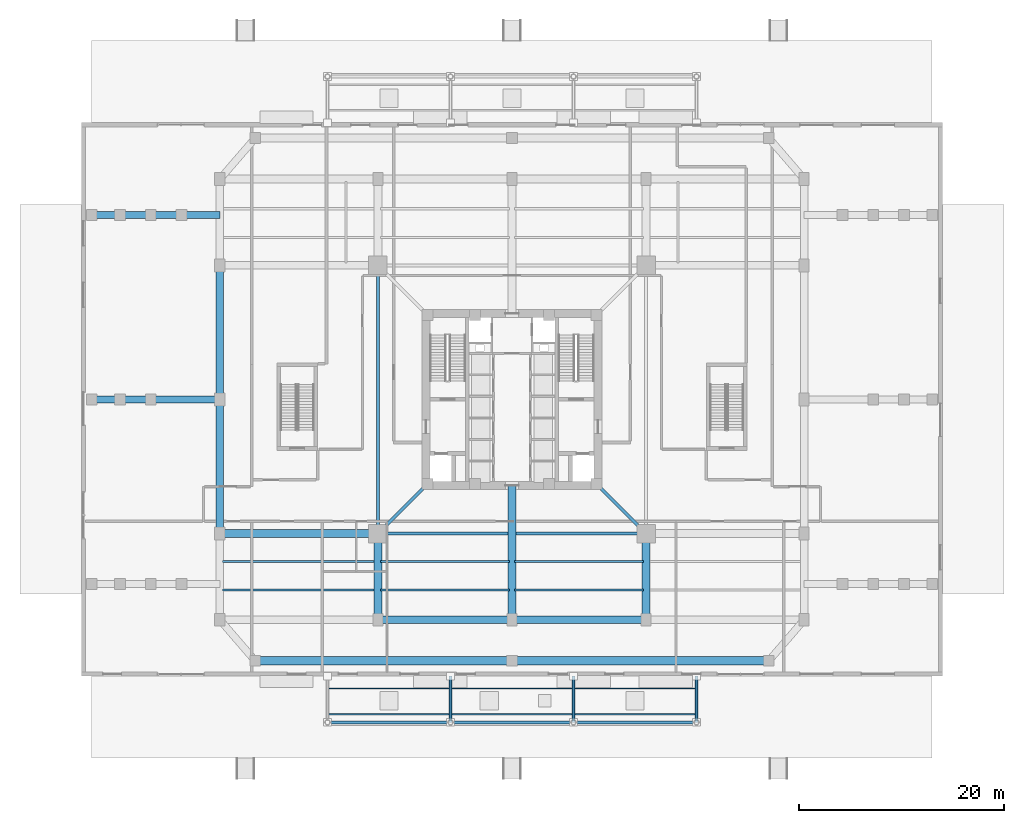
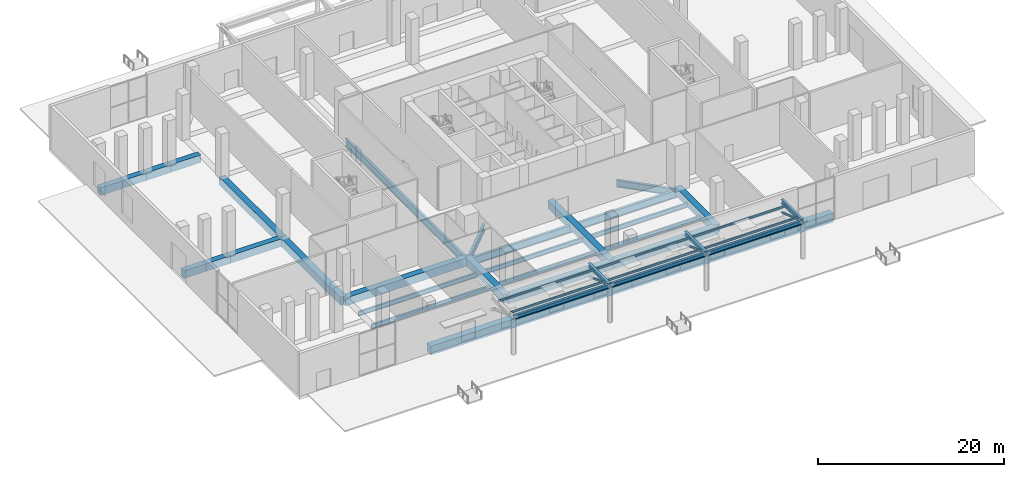
# One storey, part 7 of 25: 33 beams, 9 members.
"""IFC4 building model written with IfcOpenShell, lengths in metres."""

import ifcopenshell
import ifcopenshell.guid

model = None  # the IFC model being written
_history = None  # IfcOwnerHistory: only IFC2X3 demands one
_inside = {}  # id of a spatial element -> (the spatial element, [elements in it])
_under = {}  # id of a project, library or spatial element -> (it, [spatial elements below it])
_declared = {}  # id of a project -> (the project, [libraries it declares])
_typed = {}  # id of a type object -> (the type object, [elements of that type])
_made_of = {}  # id of a material, layer set ... -> (it, [elements and type objects made of it])


def new_model(schema):
    """Start an empty IFC model of exactly this schema.

    Asked for "IFC4X3", IfcOpenShell would pick the latest addendum, in which some entities
    have other attributes; the version numbers below select the first issue.
    IFC2X3 requires an IfcOwnerHistory on every rooted entity: one is made here for all.
    """
    global model, _history
    if schema == "IFC4X3":
        model = ifcopenshell.file(schema_version=(4, 3, 0, 0))
    else:
        model = ifcopenshell.file(schema=schema)
    _inside.clear()
    _under.clear()
    _declared.clear()
    _typed.clear()
    _made_of.clear()
    _history = None
    if model.schema == "IFC2X3":
        org = make("IfcOrganization", Name="unknown")
        user = make(
            "IfcPersonAndOrganization",
            ThePerson=make("IfcPerson", FamilyName="unknown"),
            TheOrganization=org,
        )
        app = make(
            "IfcApplication",
            ApplicationDeveloper=org,
            Version="unknown",
            ApplicationFullName="unknown",
            ApplicationIdentifier="unknown",
        )
        _history = make(
            "IfcOwnerHistory",
            OwningUser=user,
            OwningApplication=app,
            ChangeAction="ADDED",
            CreationDate=0,
        )
    return model


def make(cls, **values):
    """One entity of the class cls with the attributes given. An attribute that is None is left unset."""
    return model.create_entity(
        cls, **{name: value for name, value in values.items() if value is not None}
    )


def rooted(cls, **values):
    """An entity with a GlobalId (a new one), such as an element, a storey or a relation."""
    return make(cls, GlobalId=ifcopenshell.guid.new(), OwnerHistory=_history, **values)


def si_unit(unit_type, name, prefix=None):
    """IfcSIUnit, for example si_unit("LENGTHUNIT", "METRE", prefix="MILLI")."""
    return make("IfcSIUnit", UnitType=unit_type, Prefix=prefix, Name=name)


def assignment(units):
    """IfcUnitAssignment: the units of a project."""
    return None if units is None else make("IfcUnitAssignment", Units=units)


def point(xyz):
    """IfcCartesianPoint."""
    return None if xyz is None else make("IfcCartesianPoint", Coordinates=xyz)


def direction(xyz):
    """IfcDirection."""
    return None if xyz is None else make("IfcDirection", DirectionRatios=xyz)


def frame(location, z_axis=None, x_axis=None):
    """IfcAxis2Placement3D, a coordinate frame: its origin and axes. An axis left out is left unset."""
    return make(
        "IfcAxis2Placement3D",
        Location=point(location),
        Axis=direction(z_axis),
        RefDirection=direction(x_axis),
    )


def frame_2d(location, x_axis=None):
    """IfcAxis2Placement2D, a coordinate frame in the plane: its origin and x axis."""
    return make(
        "IfcAxis2Placement2D", Location=point(location), RefDirection=direction(x_axis)
    )


def origin():
    """The frame at (0, 0, 0) with its axes left unset."""
    return frame((0.0, 0.0, 0.0))


def origin_2d():
    """The frame at (0, 0) in the plane with its x axis left unset."""
    return frame_2d((0.0, 0.0))


def place(relative_to, where):
    """IfcLocalPlacement: puts the frame where relative to a parent placement (None: the world)."""
    return make(
        "IfcLocalPlacement", PlacementRelTo=relative_to, RelativePlacement=where
    )


def context(
    kind, dimensions, precision=None, world=None, true_north=None, identifier=None
):
    """IfcGeometricRepresentationContext, for example the 3D "Model" context."""
    return make(
        "IfcGeometricRepresentationContext",
        ContextIdentifier=identifier,
        ContextType=kind,
        CoordinateSpaceDimension=dimensions,
        Precision=precision,
        WorldCoordinateSystem=world,
        TrueNorth=true_north,
    )


def subcontext(parent, identifier, kind, view, scale=None):
    """IfcGeometricRepresentationSubContext, for example "Body" below "Model"."""
    return make(
        "IfcGeometricRepresentationSubContext",
        ContextIdentifier=identifier,
        ContextType=kind,
        ParentContext=parent,
        TargetScale=scale,
        TargetView=view,
    )


def project(units=None, contexts=None):
    """IfcProject with its units and contexts."""
    return rooted(
        "IfcProject",
        Name="project",
        RepresentationContexts=contexts,
        UnitsInContext=assignment(units),
    )


def spatial(cls, under=None, at=None, **own):
    """A site, building, storey or space (cls), placed at a placement, below another one or the project."""
    s = rooted(cls, ObjectPlacement=at, **own)
    if under is not None:
        _under.setdefault(under.id(), (under, []))[1].append(s)
    return s


def profile(cls, at=None, kind="AREA", **sizes):
    """A parametric profile (cls). Its sizes go by their IFC names, for example OverallWidth=200.0."""
    return make(cls, ProfileType=kind, Position=at, **sizes)


def rectangle(**sizes):
    """IfcRectangleProfileDef."""
    return profile("IfcRectangleProfileDef", **sizes)


def hollow_circle(**sizes):
    """IfcCircleHollowProfileDef."""
    return profile("IfcCircleHollowProfileDef", **sizes)


def i_section(**sizes):
    """IfcIShapeProfileDef."""
    return profile("IfcIShapeProfileDef", **sizes)


def extrude(swept, where, along, depth):
    """IfcExtrudedAreaSolid: the profile swept, set in the frame where, extruded along a direction by depth."""
    return make(
        "IfcExtrudedAreaSolid",
        SweptArea=swept,
        Position=where,
        ExtrudedDirection=direction(along),
        Depth=depth,
    )


def shape(context_of_items, identifier, shape_type, items):
    """IfcShapeRepresentation: the items that make up one representation, for example the "Body"."""
    return make(
        "IfcShapeRepresentation",
        ContextOfItems=context_of_items,
        RepresentationIdentifier=identifier,
        RepresentationType=shape_type,
        Items=items,
    )


def source(mapping_origin, context_of_items, identifier, shape_type, items):
    """IfcRepresentationMap: a shape defined once, which mapped items show again and again."""
    return make(
        "IfcRepresentationMap",
        MappingOrigin=mapping_origin,
        MappedRepresentation=shape(context_of_items, identifier, shape_type, items),
    )


def transform(
    local_origin,
    x_axis=None,
    y_axis=None,
    z_axis=None,
    scale=None,
    scale2=None,
    scale3=None,
    uniform=True,
):
    """IfcCartesianTransformationOperator3D, or its non-uniform kind. x_axis, y_axis, z_axis: its Axis1, 2, 3."""
    if uniform:
        return make(
            "IfcCartesianTransformationOperator3D",
            Axis1=direction(x_axis),
            Axis2=direction(y_axis),
            LocalOrigin=point(local_origin),
            Scale=scale,
            Axis3=direction(z_axis),
        )
    return make(
        "IfcCartesianTransformationOperator3DnonUniform",
        Axis1=direction(x_axis),
        Axis2=direction(y_axis),
        LocalOrigin=point(local_origin),
        Scale=scale,
        Axis3=direction(z_axis),
        Scale2=scale2,
        Scale3=scale3,
    )


def mapped(mapping_source, mapping_target):
    """IfcMappedItem: shows the shape of a source again, moved by a transform."""
    return make(
        "IfcMappedItem", MappingSource=mapping_source, MappingTarget=mapping_target
    )


def material(Name=None, Category=None):
    """IfcMaterial."""
    return make("IfcMaterial", Name=Name, Category=Category)


def material_profile(
    of_material, cross_section, Name=None, Category=None, Priority=None
):
    """IfcMaterialProfile: a cross section and its material."""
    return make(
        "IfcMaterialProfile",
        Name=Name,
        Material=of_material,
        Profile=cross_section,
        Priority=Priority,
        Category=Category,
    )


def profile_set(profiles, Name=None, composite=None):
    """IfcMaterialProfileSet."""
    return make(
        "IfcMaterialProfileSet",
        Name=Name,
        MaterialProfiles=profiles,
        CompositeProfile=composite,
    )


def made_of(thing, what):
    """Note that an element or type object is made of a material, layer set ...; save() writes the relation."""
    if what is not None:
        _made_of.setdefault(what.id(), (what, []))[1].append(thing)
    return thing


def type_object(cls, material=None, **own):
    """A type object (cls), such as IfcWallType, which elements share."""
    return made_of(rooted(cls, **own), material)


def element(
    cls,
    number,
    at=None,
    inside=None,
    cuts=None,
    type_object=None,
    material=None,
    context=None,
    identifier="Body",
    shape_type=None,
    held_by="IfcProductDefinitionShape",
    body=None,
    shapes=None,
    **own,
):
    """One element of the class cls, such as IfcWall. Its Tag is "e" and its number.

    at: its placement. inside: the storey or other place that contains it. cuts: it is an
    opening in that element (IfcRelVoidsElement). A single representation is given by context,
    identifier, shape_type and body (its items); several are given by shapes. held_by: the class
    of the entity that holds the representations. save() writes the other relations.
    """
    e = rooted(cls, Tag="e%d" % number, ObjectPlacement=at, **own)
    if body is not None:
        shapes = [shape(context, identifier, shape_type, body)]
    if shapes is not None:
        e.Representation = make(held_by, Representations=shapes)
    if inside is not None:
        _inside.setdefault(inside.id(), (inside, []))[1].append(e)
    if cuts is not None:
        rooted(
            "IfcRelVoidsElement", RelatingBuildingElement=cuts, RelatedOpeningElement=e
        )
    if type_object is not None:
        _typed.setdefault(type_object.id(), (type_object, []))[1].append(e)
    return made_of(e, material)


def aggregate(whole, parts):
    """IfcRelAggregates: a whole, such as a stair, and the parts it consists of."""
    return rooted("IfcRelAggregates", RelatingObject=whole, RelatedObjects=parts)


def save(model, path):
    """Write the relations noted so far, then the file.

    IfcRelAggregates (storeys below a building ...), IfcRelContainedInSpatialStructure (elements
    in a storey), IfcRelDefinesByType, IfcRelAssociatesMaterial and IfcRelDeclares: one each for
    every whole, place, type object, material and project.
    """
    for whole, parts in _under.values():
        aggregate(whole, parts)
    for where, things in _inside.values():
        rooted(
            "IfcRelContainedInSpatialStructure",
            RelatedElements=things,
            RelatingStructure=where,
        )
    for kind, things in _typed.values():
        rooted("IfcRelDefinesByType", RelatedObjects=things, RelatingType=kind)
    for what, things in _made_of.values():
        rooted("IfcRelAssociatesMaterial", RelatedObjects=things, RelatingMaterial=what)
    for by, libraries in _declared.values():
        rooted("IfcRelDeclares", RelatingContext=by, RelatedDefinitions=libraries)
    model.write(path)


model = new_model("IFC4")

# Units and contexts
model_context = context("Model", 3, precision=1e-05, world=origin(), true_north=direction((0.0, 1.0)))
body_context = subcontext(model_context, "Body", "Model", "MODEL_VIEW")
ifc_project = project(units=[si_unit("LENGTHUNIT", "METRE"), si_unit("AREAUNIT", "SQUARE_METRE"), si_unit("VOLUMEUNIT", "CUBIC_METRE"), si_unit("PLANEANGLEUNIT", "RADIAN"), si_unit("MASSUNIT", "GRAM", prefix="KILO"), si_unit("THERMODYNAMICTEMPERATUREUNIT", "KELVIN")], contexts=[model_context])

# Site, building, storey
site_placement = place(None, origin())
site = spatial("IfcSite", under=ifc_project, at=site_placement, CompositionType="ELEMENT")
building_placement = place(site_placement, origin())
building = spatial("IfcBuilding", under=site, at=building_placement, Name="Kosmvard Interchange Tower", CompositionType="ELEMENT")
storey_placement = place(building_placement, origin())
storey = spatial("IfcBuildingStorey", under=building, at=storey_placement, Name="L00", CompositionType="ELEMENT", Elevation=0.0)

# Beams
ifc_material_1 = material(Name="Steel S460", Category="steel")
ifc_material_profile_1 = material_profile(ifc_material_1, i_section(OverallWidth=0.30810546875, OverallDepth=0.909912109375, WebThickness=0.02099609375, FlangeThickness=0.0400390625, FilletRadius=0.027099609375, at=origin_2d()), Name="HEM 900")
ifc_profile_set_1 = profile_set([ifc_material_profile_1], Name="Steel S460")
beam_type_1 = type_object("IfcBeamType", Name="Primary Mega-Frame Girder HEM 900 S460", PredefinedType="BEAM", material=ifc_profile_set_1)
shared_shape_1 = source(origin(), body_context, "Body", "SweptSolid", [
    extrude(i_section(OverallWidth=0.30810546875, OverallDepth=0.909912109375, WebThickness=0.02099609375, FlangeThickness=0.0400390625, FilletRadius=0.027099609375, at=origin_2d()), origin(), (0.0, 0.0, 1.0), 6.83203125),
])
for number, where, z_axis, x_axis, name in (
    (1, (-8.25, -8.25, -0.85498046875), (-0.707106781187, -0.707106781187, 0.0), (0.707106781187, -0.707106781187, 0.0), "L00 Radial Mega-Frame Girder 1"),
    (2, (8.25, -8.25, -0.85498046875), (0.707106781187, -0.707106781187, 0.0), (0.707106781187, 0.707106781187, 0.0), "L00 Radial Mega-Frame Girder 2"),
):
    element("IfcBeam", number, at=place(storey_placement, frame(where, z_axis=z_axis, x_axis=x_axis)), inside=storey, type_object=beam_type_1, Name=name, PredefinedType="BEAM", context=body_context, shape_type="MappedRepresentation", body=[
        mapped(shared_shape_1, transform((0.0, 0.0, 0.0), scale=1.0)),
    ])
ifc_material_profile_2 = material_profile(ifc_material_1, i_section(OverallWidth=0.30908203125, OverallDepth=1.008056640625, WebThickness=0.02099609375, FlangeThickness=0.0400390625, FilletRadius=0.030029296875, at=origin_2d()), Name="HEM 1000")
ifc_profile_set_2 = profile_set([ifc_material_profile_2], Name="Steel S460")
beam_type_2 = type_object("IfcBeamType", Name="Mega-Column Ring Girder HEM 1000 S460", PredefinedType="BEAM", material=ifc_profile_set_2)
shared_shape_2 = source(origin(), body_context, "Body", "SweptSolid", [
    extrude(i_section(OverallWidth=0.30908203125, OverallDepth=1.008056640625, WebThickness=0.02099609375, FlangeThickness=0.0400390625, FilletRadius=0.030029296875, at=origin_2d()), origin(), (0.0, 0.0, 1.0), 26.162109375),
])
for number, where, z_axis, x_axis, name in (
    (3, (-13.0810546875, -13.0810546875, -0.904052734375), (1.0, 0.0, 0.0), (0.0, 1.0, 0.0), "L00 Mega-Column Ring Girder 1"),
    (4, (-13.0810546875, 13.0810546875, -0.904052734375), (0.0, -1.0, 0.0), (1.0, 0.0, 0.0), "L00 Mega-Column Ring Girder 4"),
):
    element("IfcBeam", number, at=place(storey_placement, frame(where, z_axis=z_axis, x_axis=x_axis)), inside=storey, type_object=beam_type_2, Name=name, PredefinedType="BEAM", context=body_context, shape_type="MappedRepresentation", body=[
        mapped(shared_shape_2, transform((0.0, 0.0, 0.0), scale=1.0)),
    ])
ifc_material_2 = material(Name="Steel S355", Category="steel")
ifc_material_profile_3 = material_profile(ifc_material_2, i_section(OverallWidth=0.219970703125, OverallDepth=0.60009765625, WebThickness=0.011962890625, FlangeThickness=0.01904296875, FilletRadius=0.02392578125, at=origin_2d()), Name="IPE 600")
ifc_profile_set_3 = profile_set([ifc_material_profile_3], Name="Steel S355")
beam_type_3 = type_object("IfcBeamType", Name="Long-Span Floor Joist IPE 600 S355", PredefinedType="JOIST", material=ifc_profile_set_3)
shared_shape_3 = source(origin(), body_context, "Body", "SweptSolid", [
    extrude(i_section(OverallWidth=0.219970703125, OverallDepth=0.60009765625, WebThickness=0.011962890625, FlangeThickness=0.01904296875, FilletRadius=0.02392578125, at=origin_2d()), origin(), (0.0, 0.0, 1.0), 14.949951171875),
])
for number, where, z_axis, x_axis, name in (
    (5, (-28.25, -18.60009765625, -0.699951171875), (1.0, 0.0, 0.0), (0.0, 1.0, 0.0), "BM-L00-PJ01"),
    (6, (-28.25, -15.800048828125, -0.699951171875), (1.0, 0.0, 0.0), (0.0, 1.0, 0.0), "BM-L00-PJ05"),
):
    element("IfcBeam", number, at=place(storey_placement, frame(where, z_axis=z_axis, x_axis=x_axis)), inside=storey, type_object=beam_type_3, Name=name, PredefinedType="JOIST", context=body_context, shape_type="MappedRepresentation", body=[
        mapped(shared_shape_3, transform((0.0, 0.0, 0.0), scale=1.0)),
    ])
shared_shape_4 = source(origin(), body_context, "Body", "SweptSolid", [
    extrude(i_section(OverallWidth=0.219970703125, OverallDepth=0.60009765625, WebThickness=0.011962890625, FlangeThickness=0.01904296875, FilletRadius=0.02392578125, at=origin_2d()), origin(), (0.0, 0.0, 1.0), 12.60009765625),
])
for number, where, z_axis, x_axis, name in (
    (7, (-12.85009765625, -18.60009765625, -0.699951171875), (1.0, 0.0, 0.0), (0.0, 1.0, 0.0), "BM-L00-PJ02"),
    (8, (0.25, -18.60009765625, -0.699951171875), (1.0, 0.0, 0.0), (0.0, 1.0, 0.0), "BM-L00-PJ03"),
    (9, (-12.85009765625, -15.800048828125, -0.699951171875), (1.0, 0.0, 0.0), (0.0, 1.0, 0.0), "BM-L00-PJ06"),
    (10, (0.25, -15.800048828125, -0.699951171875), (1.0, 0.0, 0.0), (0.0, 1.0, 0.0), "BM-L00-PJ07"),
):
    element("IfcBeam", number, at=place(storey_placement, frame(where, z_axis=z_axis, x_axis=x_axis)), inside=storey, type_object=beam_type_3, Name=name, PredefinedType="JOIST", context=body_context, shape_type="MappedRepresentation", body=[
        mapped(shared_shape_4, transform((0.0, 0.0, 0.0), scale=1.0)),
    ])
ifc_material_3 = material(Name="Concrete C60/75", Category="concrete")
ifc_material_profile_4 = material_profile(ifc_material_3, rectangle(XDim=0.75, YDim=1.050048828125, at=origin_2d()), Name="RCG 750x1050")
ifc_profile_set_4 = profile_set([ifc_material_profile_4], Name="Concrete C60/75")
beam_type_4 = type_object("IfcBeamType", Name="Concourse Mid-Span RC Girder 750x1050 C60/75", PredefinedType="BEAM", material=ifc_profile_set_4)
shared_shape_5 = source(origin(), body_context, "Body", "SweptSolid", [
    extrude(rectangle(XDim=0.75, YDim=1.050048828125, at=origin_2d()), origin(), (0.0, 0.0, 1.0), 15.4189453125),
])
beam_1_placement = place(storey_placement, frame((-28.5, -13.0810546875, -0.52490234375), z_axis=(1.0, 0.0, 0.0), x_axis=(0.0, 1.0, 0.0)))
element("IfcBeam", 11, at=beam_1_placement, inside=storey, type_object=beam_type_4, Name="BM-L00-PG-CW1", PredefinedType="BEAM", context=body_context, shape_type="MappedRepresentation", body=[
    mapped(shared_shape_5, transform((0.0, 0.0, 0.0), scale=1.0)),
])
shared_shape_6 = source(origin(), body_context, "Body", "SweptSolid", [
    extrude(rectangle(XDim=0.75, YDim=1.050048828125, at=origin_2d()), origin(), (0.0, 0.0, 1.0), 13.0810546875),
])
for number, where, z_axis, x_axis, name in (
    (12, (-13.0810546875, -21.5, -0.52490234375), (1.0, 0.0, 0.0), (0.0, 1.0, 0.0), "BM-L00-PG-S2"),
    (13, (0.0, -21.5, -0.52490234375), (1.0, 0.0, 0.0), (0.0, 1.0, 0.0), "BM-L00-PG-S3"),
    (14, (-28.5, -13.0810546875, -0.52490234375), (0.0, 1.0, 0.0), (-1.0, 0.0, 0.0), "BM-L00-PG-W2"),
    (15, (-28.5, 0.0, -0.52490234375), (0.0, 1.0, 0.0), (-1.0, 0.0, 0.0), "BM-L00-PG-W3"),
):
    element("IfcBeam", number, at=place(storey_placement, frame(where, z_axis=z_axis, x_axis=x_axis)), inside=storey, type_object=beam_type_4, Name=name, PredefinedType="BEAM", context=body_context, shape_type="MappedRepresentation", body=[
        mapped(shared_shape_6, transform((0.0, 0.0, 0.0), scale=1.0)),
    ])
shared_shape_7 = source(origin(), body_context, "Body", "SweptSolid", [
    extrude(rectangle(XDim=0.75, YDim=1.050048828125, at=origin_2d()), origin(), (0.0, 0.0, 1.0), 8.4189453125),
])
for number, where, z_axis, x_axis, name in (
    (16, (-13.0810546875, -21.5, -0.52490234375), (0.0, 1.0, 0.0), (-1.0, 0.0, 0.0), "BM-L00-PG-CS1"),
    (17, (13.0810546875, -21.5, -0.52490234375), (0.0, 1.0, 0.0), (-1.0, 0.0, 0.0), "BM-L00-PG-CS2"),
):
    element("IfcBeam", number, at=place(storey_placement, frame(where, z_axis=z_axis, x_axis=x_axis)), inside=storey, type_object=beam_type_4, Name=name, PredefinedType="BEAM", context=body_context, shape_type="MappedRepresentation", body=[
        mapped(shared_shape_7, transform((0.0, 0.0, 0.0), scale=1.0)),
    ])
shared_shape_8 = source(origin(), body_context, "Body", "SweptSolid", [
    extrude(rectangle(XDim=0.75, YDim=1.050048828125, at=origin_2d()), origin(), (0.0, 0.0, 1.0), 13.10009765625),
])
beam_2_placement = place(storey_placement, frame((0.0, -21.5, -0.52490234375), z_axis=(0.0, 1.0, 0.0), x_axis=(-1.0, 0.0, 0.0)))
element("IfcBeam", 18, at=beam_2_placement, inside=storey, type_object=beam_type_4, Name="BM-L00-PG-MS", PredefinedType="BEAM", context=body_context, shape_type="MappedRepresentation", body=[
    mapped(shared_shape_8, transform((0.0, 0.0, 0.0), scale=1.0)),
])
ifc_material_profile_5 = material_profile(ifc_material_3, rectangle(XDim=0.800048828125, YDim=1.14990234375, at=origin_2d()), Name="RCG 800x1150")
ifc_profile_set_5 = profile_set([ifc_material_profile_5], Name="Concrete C60/75")
beam_type_5 = type_object("IfcBeamType", Name="Concourse Long-Span RC Girder 800x1150 C60/75", PredefinedType="BEAM", material=ifc_profile_set_5)
shared_shape_9 = source(origin(), body_context, "Body", "SweptSolid", [
    extrude(rectangle(XDim=0.800048828125, YDim=1.14990234375, at=origin_2d()), origin(), (0.0, 0.0, 1.0), 25.050048828125),
])
for number, where, z_axis, x_axis, name in (
    (19, (-25.050048828125, -25.5, -0.574951171875), (1.0, 0.0, 0.0), (0.0, 1.0, 0.0), "BM-L00-PG-TS1"),
    (20, (0.0, -25.5, -0.574951171875), (1.0, 0.0, 0.0), (0.0, 1.0, 0.0), "BM-L00-PG-TS2"),
):
    element("IfcBeam", number, at=place(storey_placement, frame(where, z_axis=z_axis, x_axis=x_axis)), inside=storey, type_object=beam_type_5, Name=name, PredefinedType="BEAM", context=body_context, shape_type="MappedRepresentation", body=[
        mapped(shared_shape_9, transform((0.0, 0.0, 0.0), scale=1.0)),
    ])
ifc_material_profile_6 = material_profile(ifc_material_3, rectangle(XDim=0.699951171875, YDim=1.0, at=origin_2d()), Name="RCG 700x1000")
ifc_profile_set_6 = profile_set([ifc_material_profile_6], Name="Concrete C60/75")
beam_type_6 = type_object("IfcBeamType", Name="Concourse Primary RC Girder 700x1000 C60/75", PredefinedType="BEAM", material=ifc_profile_set_6)
shared_shape_10 = source(origin(), body_context, "Body", "SweptSolid", [
    extrude(rectangle(XDim=0.699951171875, YDim=1.0, at=origin_2d()), origin(), (0.0, 0.0, 1.0), 3.75),
])
beam_3_placement = place(storey_placement, frame((-28.5, 18.0, -0.5), z_axis=(-1.0, 0.0, 0.0), x_axis=(0.0, -1.0, 0.0)))
element("IfcBeam", 21, at=beam_3_placement, inside=storey, type_object=beam_type_6, Name="BM-L00-PG-TCW31", PredefinedType="BEAM", context=body_context, shape_type="MappedRepresentation", body=[
    mapped(shared_shape_10, transform((0.0, 0.0, 0.0), scale=1.0)),
])
shared_shape_11 = source(origin(), body_context, "Body", "SweptSolid", [
    extrude(rectangle(XDim=0.699951171875, YDim=1.0, at=origin_2d()), origin(), (0.0, 0.0, 1.0), 3.0),
])
for number, where, z_axis, x_axis, name in (
    (22, (-35.25, 0.0, -0.5), (-1.0, 0.0, 0.0), (0.0, -1.0, 0.0), "BM-L00-PG-TCW22"),
    (23, (-32.25, 18.0, -0.5), (-1.0, 0.0, 0.0), (0.0, -1.0, 0.0), "BM-L00-PG-TCW32"),
    (24, (-35.25, 18.0, -0.5), (-1.0, 0.0, 0.0), (0.0, -1.0, 0.0), "BM-L00-PG-TCW33"),
):
    element("IfcBeam", number, at=place(storey_placement, frame(where, z_axis=z_axis, x_axis=x_axis)), inside=storey, type_object=beam_type_6, Name=name, PredefinedType="BEAM", context=body_context, shape_type="MappedRepresentation", body=[
        mapped(shared_shape_11, transform((0.0, 0.0, 0.0), scale=1.0)),
    ])
shared_shape_12 = source(origin(), body_context, "Body", "SweptSolid", [
    extrude(rectangle(XDim=0.699951171875, YDim=1.0, at=origin_2d()), origin(), (0.0, 0.0, 1.0), 2.75),
])
for number, where, z_axis, x_axis, name in (
    (25, (-38.25, 0.0, -0.5), (-1.0, 0.0, 0.0), (0.0, -1.0, 0.0), "BM-L00-PG-TCW23"),
    (26, (-38.25, 18.0, -0.5), (-1.0, 0.0, 0.0), (0.0, -1.0, 0.0), "BM-L00-PG-TCW34"),
):
    element("IfcBeam", number, at=place(storey_placement, frame(where, z_axis=z_axis, x_axis=x_axis)), inside=storey, type_object=beam_type_6, Name=name, PredefinedType="BEAM", context=body_context, shape_type="MappedRepresentation", body=[
        mapped(shared_shape_12, transform((0.0, 0.0, 0.0), scale=1.0)),
    ])
shared_shape_13 = source(origin(), body_context, "Body", "SweptSolid", [
    extrude(rectangle(XDim=0.699951171875, YDim=1.0, at=origin_2d()), origin(), (0.0, 0.0, 1.0), 6.75),
])
beam_4_placement = place(storey_placement, frame((-28.5, 0.0, -0.5), z_axis=(-1.0, 0.0, 0.0), x_axis=(0.0, -1.0, 0.0)))
element("IfcBeam", 27, at=beam_4_placement, inside=storey, type_object=beam_type_6, Name="BM-L00-PG-TCW21", PredefinedType="BEAM", context=body_context, shape_type="MappedRepresentation", body=[
    mapped(shared_shape_13, transform((0.0, 0.0, 0.0), scale=1.0)),
])
ifc_material_profile_7 = material_profile(ifc_material_2, i_section(OverallWidth=0.300048828125, OverallDepth=0.550048828125, WebThickness=0.014892578125, FlangeThickness=0.029052734375, FilletRadius=0.027099609375, at=origin_2d()), Name="HEB 550")
ifc_profile_set_7 = profile_set([ifc_material_profile_7], Name="Steel S355")
beam_type_7 = type_object("IfcBeamType", Name="Crown Ring Cap Girder HEB 550 S355", PredefinedType="BEAM", material=ifc_profile_set_7)
shared_shape_14 = source(origin(), body_context, "Body", "SweptSolid", [
    extrude(i_section(OverallWidth=0.300048828125, OverallDepth=0.550048828125, WebThickness=0.014892578125, FlangeThickness=0.029052734375, FilletRadius=0.027099609375, at=origin_2d()), origin(), (0.0, 0.0, 1.0), 12.0),
])
for number, where, z_axis, x_axis, name in (
    (28, (-18.0, -31.5, 4.7451171875), (1.0, 0.0, 0.0), (0.0, 1.0, 0.0), "BM-L00-CGS1"),
    (29, (-6.0, -31.5, 4.7451171875), (1.0, 0.0, 0.0), (0.0, 1.0, 0.0), "BM-L00-CGS2"),
    (30, (6.0, -31.5, 4.7451171875), (1.0, 0.0, 0.0), (0.0, 1.0, 0.0), "BM-L00-CGS3"),
):
    element("IfcBeam", number, at=place(storey_placement, frame(where, z_axis=z_axis, x_axis=x_axis)), inside=storey, type_object=beam_type_7, Name=name, PredefinedType="BEAM", context=body_context, shape_type="MappedRepresentation", body=[
        mapped(shared_shape_14, transform((0.0, 0.0, 0.0), scale=1.0)),
    ])

# Members
ifc_material_profile_8 = material_profile(ifc_material_2, i_section(OverallWidth=0.135009765625, OverallDepth=0.27001953125, WebThickness=0.006591796875, FlangeThickness=0.01025390625, FilletRadius=0.014892578125, at=origin_2d()), Name="IPE 270")
ifc_profile_set_8 = profile_set([ifc_material_profile_8], Name="Steel S355")
member_type_1 = type_object("IfcMemberType", Name="Podium Canopy Roof Purlin IPE 270 S355", PredefinedType="PURLIN", material=ifc_profile_set_8)
shared_shape_15 = source(origin(), body_context, "Body", "SweptSolid", [
    extrude(i_section(OverallWidth=0.135009765625, OverallDepth=0.27001953125, WebThickness=0.006591796875, FlangeThickness=0.01025390625, FilletRadius=0.014892578125, at=origin_2d()), origin(), (0.0, 0.0, 1.0), 12.0),
])
for number, where, z_axis, x_axis, name in (
    (31, (-18.0, -28.199951171875, 4.885009765625), (1.0, 0.0, 0.0), (0.0, 1.0, 0.0), "L00 Canopy Roof Purlin S1.1"),
    (32, (-18.0, -30.699951171875, 4.885009765625), (1.0, 0.0, 0.0), (0.0, 1.0, 0.0), "L00 Canopy Roof Purlin S1.2"),
    (33, (-6.0, -28.199951171875, 4.885009765625), (1.0, 0.0, 0.0), (0.0, 1.0, 0.0), "L00 Canopy Roof Purlin S2.1"),
    (34, (-6.0, -30.699951171875, 4.885009765625), (1.0, 0.0, 0.0), (0.0, 1.0, 0.0), "L00 Canopy Roof Purlin S2.2"),
    (35, (6.0, -28.199951171875, 4.885009765625), (1.0, 0.0, 0.0), (0.0, 1.0, 0.0), "L00 Canopy Roof Purlin S3.1"),
    (36, (6.0, -30.699951171875, 4.885009765625), (1.0, 0.0, 0.0), (0.0, 1.0, 0.0), "L00 Canopy Roof Purlin S3.2"),
):
    element("IfcMember", number, at=place(storey_placement, frame(where, z_axis=z_axis, x_axis=x_axis)), inside=storey, type_object=member_type_1, Name=name, PredefinedType="PURLIN", context=body_context, shape_type="MappedRepresentation", body=[
        mapped(shared_shape_15, transform((0.0, 0.0, 0.0), scale=1.0)),
    ])

# Beams
shared_shape_16 = source(origin(), body_context, "Body", "SweptSolid", [
    extrude(i_section(OverallWidth=0.300048828125, OverallDepth=0.550048828125, WebThickness=0.014892578125, FlangeThickness=0.029052734375, FilletRadius=0.027099609375, at=origin_2d()), origin(), (0.0, 0.0, 1.0), 4.5),
])
for number, where, z_axis, x_axis, name in (
    (37, (-6.0, -27.0, 4.7451171875), (0.0, -1.0, 0.0), (1.0, 0.0, 0.0), "BM-L00-CTS2"),
    (38, (6.0, -27.0, 4.7451171875), (0.0, -1.0, 0.0), (1.0, 0.0, 0.0), "BM-L00-CTS3"),
    (39, (18.0, -27.0, 4.7451171875), (0.0, -1.0, 0.0), (1.0, 0.0, 0.0), "BM-L00-CTS4"),
):
    element("IfcBeam", number, at=place(storey_placement, frame(where, z_axis=z_axis, x_axis=x_axis)), inside=storey, type_object=beam_type_7, Name=name, PredefinedType="BEAM", context=body_context, shape_type="MappedRepresentation", body=[
        mapped(shared_shape_16, transform((0.0, 0.0, 0.0), scale=1.0)),
    ])

# Members
ifc_material_profile_9 = material_profile(ifc_material_2, hollow_circle(Radius=0.136474609375, WallThickness=0.01611328125, at=origin_2d()), Name="CHS 273x16")
ifc_profile_set_9 = profile_set([ifc_material_profile_9], Name="Steel S355")
member_type_2 = type_object("IfcMemberType", Name="Podium Canopy Inclined Strut CHS 273x16 S355", PredefinedType="STRUT", material=ifc_profile_set_9)
shared_shape_17 = source(origin(), body_context, "Body", "SweptSolid", [
    extrude(hollow_circle(Radius=0.136474609375, WallThickness=0.01611328125, at=origin_2d()), origin(), (0.0, 0.0, 1.0), 4.79296875),
])
for number, where, z_axis, x_axis, name in (
    (40, (-6.0, -27.0, 3.199951171875), (0.0, -0.93886643746, 0.344281589127), (1.0, 0.0, 0.0), "L00 Entrance Canopy Strut S2"),
    (41, (6.0, -27.0, 3.199951171875), (0.0, -0.93886643746, 0.344281589127), (1.0, 0.0, 0.0), "L00 Entrance Canopy Strut S3"),
    (42, (18.0, -27.0, 3.199951171875), (0.0, -0.93886643746, 0.344281589127), (1.0, 0.0, 0.0), "L00 Entrance Canopy Strut S4"),
):
    element("IfcMember", number, at=place(storey_placement, frame(where, z_axis=z_axis, x_axis=x_axis)), inside=storey, type_object=member_type_2, Name=name, PredefinedType="STRUT", context=body_context, shape_type="MappedRepresentation", body=[
        mapped(shared_shape_17, transform((0.0, 0.0, 0.0), scale=1.0)),
    ])

save(model, "model.ifc")
